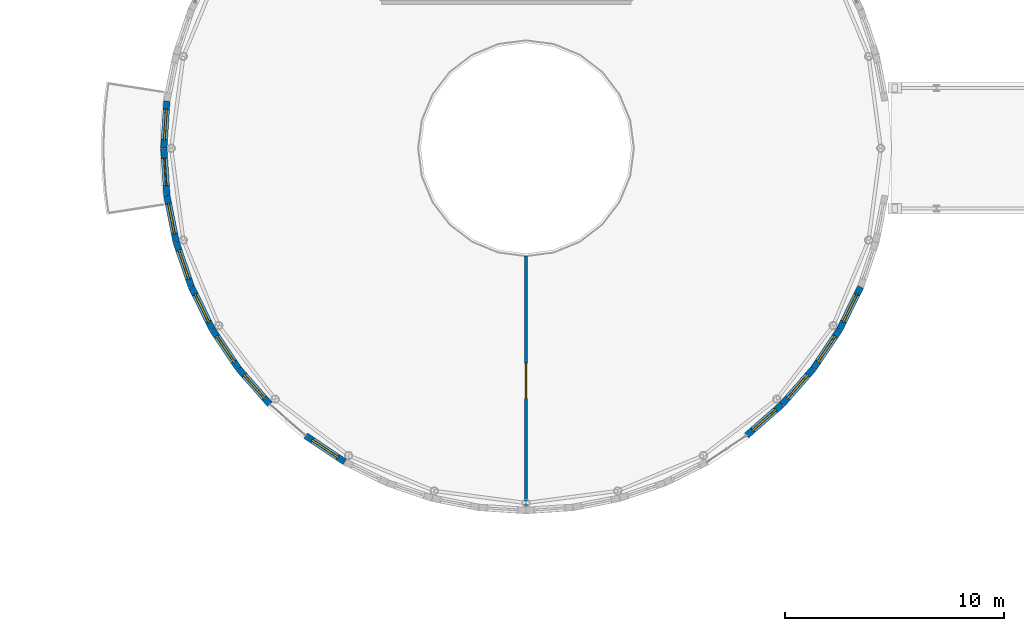
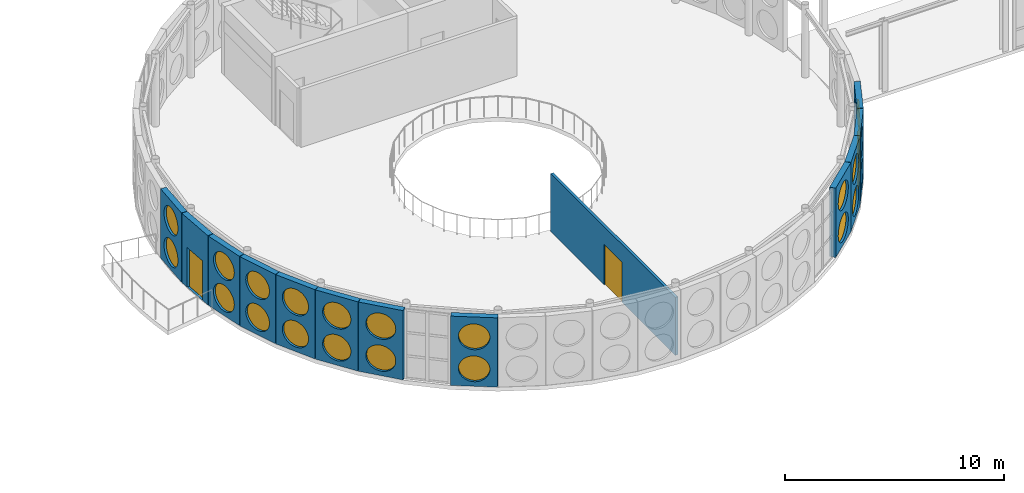
# One storey, part 134 of 165: 22 windows, 13 walls, 2 doors, 24 openings.
"""IFC4 building model written with IfcOpenShell, lengths in metres."""

from ifc_helpers import new_model, si_unit, direction, frame, frame_2d, origin, place, context, subcontext, project, spatial, rectangle, circle, extrude, material, layer, layer_set, type_object, element, fill, save


model = new_model("IFC4")

# Units and contexts
model_context = context("Model", 3, precision=1e-05, world=origin(), true_north=direction((0.0, 1.0)))
body_context = subcontext(model_context, "Body", "Model", "MODEL_VIEW")
ifc_project = project(units=[si_unit("LENGTHUNIT", "METRE"), si_unit("AREAUNIT", "SQUARE_METRE"), si_unit("VOLUMEUNIT", "CUBIC_METRE"), si_unit("PLANEANGLEUNIT", "RADIAN"), si_unit("MASSUNIT", "GRAM", prefix="KILO")], contexts=[model_context])

# Site, building, storey
site_placement = place(None, origin())
site = spatial("IfcSite", under=ifc_project, at=site_placement, CompositionType="ELEMENT")
building_placement = place(site_placement, origin())
building = spatial("IfcBuilding", under=site, at=building_placement, Name="Montecoro Central Library", CompositionType="ELEMENT")
storey_placement = place(building_placement, frame((0.0, 0.0, 5.10009765625)))
storey = spatial("IfcBuildingStorey", under=building, at=storey_placement, Name="L01", CompositionType="ELEMENT", Elevation=5.10009765625)

# Wall, openings, windows
ifc_material_1 = material(Name="Travertine Roman Stone and concrete C35/45", Category="masonry")
ifc_layer_1 = layer(ifc_material_1, 0.294921875)
ifc_layer_set_1 = layer_set([ifc_layer_1], Name="Travertine Roman Stone and concrete C35/45")
wall_type_1 = type_object("IfcWallType", Name="EW-DRM-295", PredefinedType="SOLIDWALL", material=ifc_layer_set_1)
wall_1_placement = place(storey_placement, frame((75.219970703125, 37.548095703125, 0.0), z_axis=(0.0, 0.0, 1.0), x_axis=(-0.064773567518, -0.997899987449, 0.0)))
wall_1 = element("IfcWall", 1, at=wall_1_placement, inside=storey, type_object=wall_type_1, Name="V1-L01-EW-24", PredefinedType="SOLIDWALL", context=body_context, shape_type="SweptSolid", body=[
    extrude(rectangle(XDim=2.14453125, YDim=0.294921875, at=frame_2d((1.072265625, 0.0))), origin(), (0.0, 0.0, 1.0), 3.85498046875),
])
opening_1_placement = place(wall_1_placement, frame((0.35205078125, 0.0, 0.25)))
opening_1 = element("IfcOpeningElement", 2, at=opening_1_placement, cuts=wall_1, Name="Opening WP-02", PredefinedType="OPENING", context=body_context, shape_type="SweptSolid", body=[
    extrude(circle(Radius=0.719970703125, at=frame_2d((0.719970703125, 0.719970703125))), frame((0.0, 0.157470703125, 0.0), z_axis=(0.0, -1.0, 0.0), x_axis=(1.0, 0.0, 0.0)), (0.0, 0.0, 1.0), 0.31494140625),
])
opening_2_placement = place(wall_1_placement, frame((0.35205078125, 0.0, 2.030029296875)))
opening_2 = element("IfcOpeningElement", 3, at=opening_2_placement, cuts=wall_1, Name="Opening WP-01", PredefinedType="OPENING", context=body_context, shape_type="SweptSolid", body=[
    extrude(circle(Radius=0.719970703125, at=frame_2d((0.719970703125, 0.719970703125))), frame((0.0, 0.157470703125, 0.0), z_axis=(0.0, -1.0, 0.0), x_axis=(1.0, 0.0, 0.0)), (0.0, 0.0, 1.0), 0.31494140625),
])
ifc_material_2 = material(Name="Clear sky-blue low-E laminated glazing", Category="glass")
window_type_1 = type_object("IfcWindowType", Name="WN-POR-CLR-144", PartitioningType="SINGLE_PANEL", PredefinedType="WINDOW", material=ifc_material_2)
window_1_placement = place(opening_2_placement, origin())
window_1 = element("IfcWindow", 4, at=window_1_placement, inside=storey, type_object=window_type_1, Name="V1-L01-WP-24-2", OverallHeight=1.43994140625, OverallWidth=1.43994140625, PartitioningType="SINGLE_PANEL", PredefinedType="WINDOW", context=body_context, shape_type="SweptSolid", body=[
    extrude(circle(Radius=0.719970703125, at=frame_2d((0.719970703125, 0.719970703125))), frame((0.0, 0.030029296875, 0.0), z_axis=(0.0, -1.0, 0.0), x_axis=(1.0, 0.0, 0.0)), (0.0, 0.0, 1.0), 0.06005859375),
])
fill(opening_2, window_1)
ifc_material_3 = material(Name="Frosted pearl-white ceramic-fritted glazing", Category="glass")
window_type_2 = type_object("IfcWindowType", Name="WN-POR-FRT-144", PartitioningType="SINGLE_PANEL", PredefinedType="WINDOW", material=ifc_material_3)
window_2_placement = place(opening_1_placement, origin())
window_2 = element("IfcWindow", 5, at=window_2_placement, inside=storey, type_object=window_type_2, Name="V1-L01-WP-24-1", OverallHeight=1.43994140625, OverallWidth=1.43994140625, PartitioningType="SINGLE_PANEL", PredefinedType="WINDOW", context=body_context, shape_type="SweptSolid", body=[
    extrude(circle(Radius=0.719970703125, at=frame_2d((0.719970703125, 0.719970703125))), frame((0.0, 0.030029296875, 0.0), z_axis=(0.0, -1.0, 0.0), x_axis=(1.0, 0.0, 0.0)), (0.0, 0.0, 1.0), 0.06005859375),
])
fill(opening_1, window_2)

# Wall, opening, door
wall_2_placement = place(storey_placement, frame((75.0810546875, 35.39208984375, 0.0), z_axis=(0.0, 0.0, 1.0), x_axis=(0.064773567518, -0.997899987449, 0.0)))
wall_2 = element("IfcWall", 6, at=wall_2_placement, inside=storey, type_object=wall_type_1, Name="V1-L01-EW-25", PredefinedType="SOLIDWALL", context=body_context, shape_type="SweptSolid", body=[
    extrude(rectangle(XDim=2.14453125, YDim=0.294921875, at=frame_2d((1.072265625, 0.0))), origin(), (0.0, 0.0, 1.0), 3.85498046875),
])
opening_3_placement = place(wall_2_placement, frame((0.447021484375, 0.0, 0.0)))
opening_3 = element("IfcOpeningElement", 7, at=opening_3_placement, cuts=wall_2, Name="Opening ED-09", PredefinedType="OPENING", context=body_context, shape_type="SweptSolid", body=[
    extrude(rectangle(XDim=1.25, YDim=2.199951171875, at=frame_2d((0.625, 1.10009765625))), frame((0.0, 0.157470703125, 0.0), z_axis=(0.0, -1.0, 0.0), x_axis=(1.0, 0.0, 0.0)), (0.0, 0.0, 1.0), 0.31494140625),
])
ifc_material_4 = material(Name="Thermally broken architectural bronze and safety glass", Category="glass")
door_type_1 = type_object("IfcDoorType", Name="ED-TER-125", OperationType="NOTDEFINED", PredefinedType="DOOR", material=ifc_material_4)
door_1_placement = place(opening_3_placement, origin())
door_1 = element("IfcDoor", 8, at=door_1_placement, inside=storey, type_object=door_type_1, Name="V1-L01-TERD-25", OperationType="SINGLE_SWING_RIGHT", OverallHeight=2.199951171875, OverallWidth=1.25, PredefinedType="DOOR", context=body_context, shape_type="SweptSolid", body=[
    extrude(rectangle(XDim=1.25, YDim=2.199951171875, at=frame_2d((0.625, 1.10009765625))), frame((0.0, 0.02490234375, 0.0), z_axis=(0.0, -1.0, 0.0), x_axis=(1.0, 0.0, 0.0)), (0.0, 0.0, 1.0), 0.050048828125),
])
fill(opening_3, door_1)

# Wall, openings, windows
wall_3_placement = place(storey_placement, frame((75.222900390625, 33.236083984375, 0.0), z_axis=(0.0, 0.0, 1.0), x_axis=(0.194956014446, -0.98081198628, 0.0)))
wall_3 = element("IfcWall", 9, at=wall_3_placement, inside=storey, type_object=wall_type_1, Name="V1-L01-EW-26", PredefinedType="SOLIDWALL", context=body_context, shape_type="SweptSolid", body=[
    extrude(rectangle(XDim=2.145263671875, YDim=0.294921875, at=frame_2d((1.07275390625, 0.0))), origin(), (0.0, 0.0, 1.0), 3.85498046875),
])
opening_4_placement = place(wall_3_placement, frame((0.35302734375, 0.0, 0.25)))
opening_4 = element("IfcOpeningElement", 10, at=opening_4_placement, cuts=wall_3, Name="Opening WP-02", PredefinedType="OPENING", context=body_context, shape_type="SweptSolid", body=[
    extrude(circle(Radius=0.719970703125, at=frame_2d((0.719970703125, 0.719970703125))), frame((0.0, 0.157470703125, 0.0), z_axis=(0.0, -1.0, 0.0), x_axis=(1.0, 0.0, 0.0)), (0.0, 0.0, 1.0), 0.31494140625),
])
opening_5_placement = place(wall_3_placement, frame((0.35302734375, 0.0, 2.030029296875)))
opening_5 = element("IfcOpeningElement", 11, at=opening_5_placement, cuts=wall_3, Name="Opening WP-01", PredefinedType="OPENING", context=body_context, shape_type="SweptSolid", body=[
    extrude(circle(Radius=0.719970703125, at=frame_2d((0.719970703125, 0.719970703125))), frame((0.0, 0.157470703125, 0.0), z_axis=(0.0, -1.0, 0.0), x_axis=(1.0, 0.0, 0.0)), (0.0, 0.0, 1.0), 0.31494140625),
])
window_3_placement = place(opening_5_placement, origin())
window_3 = element("IfcWindow", 12, at=window_3_placement, inside=storey, type_object=window_type_1, Name="V1-L01-WP-26-2", OverallHeight=1.43994140625, OverallWidth=1.43994140625, PartitioningType="SINGLE_PANEL", PredefinedType="WINDOW", context=body_context, shape_type="SweptSolid", body=[
    extrude(circle(Radius=0.719970703125, at=frame_2d((0.719970703125, 0.719970703125))), frame((0.0, 0.030029296875, 0.0), z_axis=(0.0, -1.0, 0.0), x_axis=(1.0, 0.0, 0.0)), (0.0, 0.0, 1.0), 0.06005859375),
])
fill(opening_5, window_3)
window_4_placement = place(opening_4_placement, origin())
window_4 = element("IfcWindow", 13, at=window_4_placement, inside=storey, type_object=window_type_2, Name="V1-L01-WP-26-1", OverallHeight=1.43994140625, OverallWidth=1.43994140625, PartitioningType="SINGLE_PANEL", PredefinedType="WINDOW", context=body_context, shape_type="SweptSolid", body=[
    extrude(circle(Radius=0.719970703125, at=frame_2d((0.719970703125, 0.719970703125))), frame((0.0, 0.030029296875, 0.0), z_axis=(0.0, -1.0, 0.0), x_axis=(1.0, 0.0, 0.0)), (0.0, 0.0, 1.0), 0.06005859375),
])
fill(opening_4, window_4)

wall_4_placement = place(storey_placement, frame((75.64599609375, 31.115966796875, 0.0), z_axis=(0.0, 0.0, 1.0), x_axis=(0.321382058047, -0.946949614692, 0.0)))
wall_4 = element("IfcWall", 14, at=wall_4_placement, inside=storey, type_object=wall_type_1, Name="V1-L01-EW-27", PredefinedType="SOLIDWALL", context=body_context, shape_type="SweptSolid", body=[
    extrude(rectangle(XDim=2.143798828125, YDim=0.294921875, at=frame_2d((1.07177734375, 0.0))), origin(), (0.0, 0.0, 1.0), 3.85498046875),
])
opening_6_placement = place(wall_4_placement, frame((0.35205078125, 0.0, 0.25)))
opening_6 = element("IfcOpeningElement", 15, at=opening_6_placement, cuts=wall_4, Name="Opening WP-01", PredefinedType="OPENING", context=body_context, shape_type="SweptSolid", body=[
    extrude(circle(Radius=0.719970703125, at=frame_2d((0.719970703125, 0.719970703125))), frame((0.0, 0.157470703125, 0.0), z_axis=(0.0, -1.0, 0.0), x_axis=(1.0, 0.0, 0.0)), (0.0, 0.0, 1.0), 0.31494140625),
])
opening_7_placement = place(wall_4_placement, frame((0.35205078125, 0.0, 2.030029296875)))
opening_7 = element("IfcOpeningElement", 16, at=opening_7_placement, cuts=wall_4, Name="Opening WP-02", PredefinedType="OPENING", context=body_context, shape_type="SweptSolid", body=[
    extrude(circle(Radius=0.719970703125, at=frame_2d((0.719970703125, 0.719970703125))), frame((0.0, 0.157470703125, 0.0), z_axis=(0.0, -1.0, 0.0), x_axis=(1.0, 0.0, 0.0)), (0.0, 0.0, 1.0), 0.31494140625),
])
window_5_placement = place(opening_6_placement, origin())
window_5 = element("IfcWindow", 17, at=window_5_placement, inside=storey, type_object=window_type_1, Name="V1-L01-WP-27-1", OverallHeight=1.43994140625, OverallWidth=1.43994140625, PartitioningType="SINGLE_PANEL", PredefinedType="WINDOW", context=body_context, shape_type="SweptSolid", body=[
    extrude(circle(Radius=0.719970703125, at=frame_2d((0.719970703125, 0.719970703125))), frame((0.0, 0.030029296875, 0.0), z_axis=(0.0, -1.0, 0.0), x_axis=(1.0, 0.0, 0.0)), (0.0, 0.0, 1.0), 0.06005859375),
])
fill(opening_6, window_5)
window_6_placement = place(opening_7_placement, origin())
window_6 = element("IfcWindow", 18, at=window_6_placement, inside=storey, type_object=window_type_2, Name="V1-L01-WP-27-2", OverallHeight=1.43994140625, OverallWidth=1.43994140625, PartitioningType="SINGLE_PANEL", PredefinedType="WINDOW", context=body_context, shape_type="SweptSolid", body=[
    extrude(circle(Radius=0.719970703125, at=frame_2d((0.719970703125, 0.719970703125))), frame((0.0, 0.030029296875, 0.0), z_axis=(0.0, -1.0, 0.0), x_axis=(1.0, 0.0, 0.0)), (0.0, 0.0, 1.0), 0.06005859375),
])
fill(opening_7, window_6)

wall_5_placement = place(storey_placement, frame((76.342041015625, 29.071044921875, 0.0), z_axis=(0.0, 0.0, 1.0), x_axis=(0.441603666205, -0.897210232885, 0.0)))
wall_5 = element("IfcWall", 19, at=wall_5_placement, inside=storey, type_object=wall_type_1, Name="V1-L01-EW-28", PredefinedType="SOLIDWALL", context=body_context, shape_type="SweptSolid", body=[
    extrude(rectangle(XDim=2.14453125, YDim=0.294921875, at=frame_2d((1.072265625, 0.0))), origin(), (0.0, 0.0, 1.0), 3.85498046875),
])
opening_8_placement = place(wall_5_placement, frame((0.35205078125, 0.0, 0.25)))
opening_8 = element("IfcOpeningElement", 20, at=opening_8_placement, cuts=wall_5, Name="Opening WP-02", PredefinedType="OPENING", context=body_context, shape_type="SweptSolid", body=[
    extrude(circle(Radius=0.719970703125, at=frame_2d((0.719970703125, 0.719970703125))), frame((0.0, 0.157470703125, 0.0), z_axis=(0.0, -1.0, 0.0), x_axis=(1.0, 0.0, 0.0)), (0.0, 0.0, 1.0), 0.31494140625),
])
opening_9_placement = place(wall_5_placement, frame((0.35205078125, 0.0, 2.030029296875)))
opening_9 = element("IfcOpeningElement", 21, at=opening_9_placement, cuts=wall_5, Name="Opening WP-01", PredefinedType="OPENING", context=body_context, shape_type="SweptSolid", body=[
    extrude(circle(Radius=0.719970703125, at=frame_2d((0.719970703125, 0.719970703125))), frame((0.0, 0.157470703125, 0.0), z_axis=(0.0, -1.0, 0.0), x_axis=(1.0, 0.0, 0.0)), (0.0, 0.0, 1.0), 0.31494140625),
])
window_7_placement = place(opening_9_placement, origin())
window_7 = element("IfcWindow", 22, at=window_7_placement, inside=storey, type_object=window_type_1, Name="V1-L01-WP-28-2", OverallHeight=1.43994140625, OverallWidth=1.43994140625, PartitioningType="SINGLE_PANEL", PredefinedType="WINDOW", context=body_context, shape_type="SweptSolid", body=[
    extrude(circle(Radius=0.719970703125, at=frame_2d((0.719970703125, 0.719970703125))), frame((0.0, 0.030029296875, 0.0), z_axis=(0.0, -1.0, 0.0), x_axis=(1.0, 0.0, 0.0)), (0.0, 0.0, 1.0), 0.06005859375),
])
fill(opening_9, window_7)
window_8_placement = place(opening_8_placement, origin())
window_8 = element("IfcWindow", 23, at=window_8_placement, inside=storey, type_object=window_type_2, Name="V1-L01-WP-28-1", OverallHeight=1.43994140625, OverallWidth=1.43994140625, PartitioningType="SINGLE_PANEL", PredefinedType="WINDOW", context=body_context, shape_type="SweptSolid", body=[
    extrude(circle(Radius=0.719970703125, at=frame_2d((0.719970703125, 0.719970703125))), frame((0.0, 0.030029296875, 0.0), z_axis=(0.0, -1.0, 0.0), x_axis=(1.0, 0.0, 0.0)), (0.0, 0.0, 1.0), 0.06005859375),
])
fill(opening_8, window_8)

wall_6_placement = place(storey_placement, frame((77.297119140625, 27.133056640625, 0.0), z_axis=(0.0, 0.0, 1.0), x_axis=(0.556065143197, -0.831138710759, 0.0)))
wall_6 = element("IfcWall", 24, at=wall_6_placement, inside=storey, type_object=wall_type_1, Name="V1-L01-EW-29", PredefinedType="SOLIDWALL", context=body_context, shape_type="SweptSolid", body=[
    extrude(rectangle(XDim=2.145263671875, YDim=0.294921875, at=frame_2d((1.07275390625, 0.0))), origin(), (0.0, 0.0, 1.0), 3.85498046875),
])
opening_10_placement = place(wall_6_placement, frame((0.35302734375, 0.0, 0.25)))
opening_10 = element("IfcOpeningElement", 25, at=opening_10_placement, cuts=wall_6, Name="Opening WP-01", PredefinedType="OPENING", context=body_context, shape_type="SweptSolid", body=[
    extrude(circle(Radius=0.719970703125, at=frame_2d((0.719970703125, 0.719970703125))), frame((0.0, 0.157470703125, 0.0), z_axis=(0.0, -1.0, 0.0), x_axis=(1.0, 0.0, 0.0)), (0.0, 0.0, 1.0), 0.31494140625),
])
opening_11_placement = place(wall_6_placement, frame((0.35302734375, 0.0, 2.030029296875)))
opening_11 = element("IfcOpeningElement", 26, at=opening_11_placement, cuts=wall_6, Name="Opening WP-02", PredefinedType="OPENING", context=body_context, shape_type="SweptSolid", body=[
    extrude(circle(Radius=0.719970703125, at=frame_2d((0.719970703125, 0.719970703125))), frame((0.0, 0.157470703125, 0.0), z_axis=(0.0, -1.0, 0.0), x_axis=(1.0, 0.0, 0.0)), (0.0, 0.0, 1.0), 0.31494140625),
])
window_9_placement = place(opening_10_placement, origin())
window_9 = element("IfcWindow", 27, at=window_9_placement, inside=storey, type_object=window_type_1, Name="V1-L01-WP-29-1", OverallHeight=1.43994140625, OverallWidth=1.43994140625, PartitioningType="SINGLE_PANEL", PredefinedType="WINDOW", context=body_context, shape_type="SweptSolid", body=[
    extrude(circle(Radius=0.719970703125, at=frame_2d((0.719970703125, 0.719970703125))), frame((0.0, 0.030029296875, 0.0), z_axis=(0.0, -1.0, 0.0), x_axis=(1.0, 0.0, 0.0)), (0.0, 0.0, 1.0), 0.06005859375),
])
fill(opening_10, window_9)
window_10_placement = place(opening_11_placement, origin())
window_10 = element("IfcWindow", 28, at=window_10_placement, inside=storey, type_object=window_type_2, Name="V1-L01-WP-29-2", OverallHeight=1.43994140625, OverallWidth=1.43994140625, PartitioningType="SINGLE_PANEL", PredefinedType="WINDOW", context=body_context, shape_type="SweptSolid", body=[
    extrude(circle(Radius=0.719970703125, at=frame_2d((0.719970703125, 0.719970703125))), frame((0.0, 0.030029296875, 0.0), z_axis=(0.0, -1.0, 0.0), x_axis=(1.0, 0.0, 0.0)), (0.0, 0.0, 1.0), 0.06005859375),
])
fill(opening_11, window_10)

wall_7_placement = place(storey_placement, frame((78.4990234375, 25.3369140625, 0.0), z_axis=(0.0, 0.0, 1.0), x_axis=(0.659744735503, -0.751489776362, 0.0)))
wall_7 = element("IfcWall", 29, at=wall_7_placement, inside=storey, type_object=wall_type_1, Name="V1-L01-EW-30", PredefinedType="SOLIDWALL", context=body_context, shape_type="SweptSolid", body=[
    extrude(rectangle(XDim=2.144775390625, YDim=0.294921875, at=frame_2d((1.072265625, 0.0))), origin(), (0.0, 0.0, 1.0), 3.85498046875),
])
opening_12_placement = place(wall_7_placement, frame((0.35205078125, 0.0, 0.25)))
opening_12 = element("IfcOpeningElement", 30, at=opening_12_placement, cuts=wall_7, Name="Opening WP-02", PredefinedType="OPENING", context=body_context, shape_type="SweptSolid", body=[
    extrude(circle(Radius=0.719970703125, at=frame_2d((0.719970703125, 0.719970703125))), frame((0.0, 0.157470703125, 0.0), z_axis=(0.0, -1.0, 0.0), x_axis=(1.0, 0.0, 0.0)), (0.0, 0.0, 1.0), 0.31494140625),
])
opening_13_placement = place(wall_7_placement, frame((0.35205078125, 0.0, 2.030029296875)))
opening_13 = element("IfcOpeningElement", 31, at=opening_13_placement, cuts=wall_7, Name="Opening WP-01", PredefinedType="OPENING", context=body_context, shape_type="SweptSolid", body=[
    extrude(circle(Radius=0.719970703125, at=frame_2d((0.719970703125, 0.719970703125))), frame((0.0, 0.157470703125, 0.0), z_axis=(0.0, -1.0, 0.0), x_axis=(1.0, 0.0, 0.0)), (0.0, 0.0, 1.0), 0.31494140625),
])
window_11_placement = place(opening_13_placement, origin())
window_11 = element("IfcWindow", 32, at=window_11_placement, inside=storey, type_object=window_type_1, Name="V1-L01-WP-30-2", OverallHeight=1.43994140625, OverallWidth=1.43994140625, PartitioningType="SINGLE_PANEL", PredefinedType="WINDOW", context=body_context, shape_type="SweptSolid", body=[
    extrude(circle(Radius=0.719970703125, at=frame_2d((0.719970703125, 0.719970703125))), frame((0.0, 0.030029296875, 0.0), z_axis=(0.0, -1.0, 0.0), x_axis=(1.0, 0.0, 0.0)), (0.0, 0.0, 1.0), 0.06005859375),
])
fill(opening_13, window_11)
window_12_placement = place(opening_12_placement, origin())
window_12 = element("IfcWindow", 33, at=window_12_placement, inside=storey, type_object=window_type_2, Name="V1-L01-WP-30-1", OverallHeight=1.43994140625, OverallWidth=1.43994140625, PartitioningType="SINGLE_PANEL", PredefinedType="WINDOW", context=body_context, shape_type="SweptSolid", body=[
    extrude(circle(Radius=0.719970703125, at=frame_2d((0.719970703125, 0.719970703125))), frame((0.0, 0.030029296875, 0.0), z_axis=(0.0, -1.0, 0.0), x_axis=(1.0, 0.0, 0.0)), (0.0, 0.0, 1.0), 0.06005859375),
])
fill(opening_12, window_12)

wall_8_placement = place(storey_placement, frame((81.550048828125, 22.2900390625, 0.0), z_axis=(0.0, 0.0, 1.0), x_axis=(0.831086112108, -0.556143753234, 0.0)))
wall_8 = element("IfcWall", 34, at=wall_8_placement, inside=storey, type_object=wall_type_1, Name="V1-L01-EW-32", PredefinedType="SOLIDWALL", context=body_context, shape_type="SweptSolid", body=[
    extrude(rectangle(XDim=2.145263671875, YDim=0.294921875, at=frame_2d((1.07275390625, 0.0))), origin(), (0.0, 0.0, 1.0), 3.85498046875),
])
opening_14_placement = place(wall_8_placement, frame((0.35302734375, 0.0, 0.25)))
opening_14 = element("IfcOpeningElement", 35, at=opening_14_placement, cuts=wall_8, Name="Opening WP-02", PredefinedType="OPENING", context=body_context, shape_type="SweptSolid", body=[
    extrude(circle(Radius=0.719970703125, at=frame_2d((0.719970703125, 0.719970703125))), frame((0.0, 0.157470703125, 0.0), z_axis=(0.0, -1.0, 0.0), x_axis=(1.0, 0.0, 0.0)), (0.0, 0.0, 1.0), 0.31494140625),
])
opening_15_placement = place(wall_8_placement, frame((0.35302734375, 0.0, 2.030029296875)))
opening_15 = element("IfcOpeningElement", 36, at=opening_15_placement, cuts=wall_8, Name="Opening WP-01", PredefinedType="OPENING", context=body_context, shape_type="SweptSolid", body=[
    extrude(circle(Radius=0.719970703125, at=frame_2d((0.719970703125, 0.719970703125))), frame((0.0, 0.157470703125, 0.0), z_axis=(0.0, -1.0, 0.0), x_axis=(1.0, 0.0, 0.0)), (0.0, 0.0, 1.0), 0.31494140625),
])
window_13_placement = place(opening_15_placement, origin())
window_13 = element("IfcWindow", 37, at=window_13_placement, inside=storey, type_object=window_type_1, Name="V1-L01-WP-32-2", OverallHeight=1.43994140625, OverallWidth=1.43994140625, PartitioningType="SINGLE_PANEL", PredefinedType="WINDOW", context=body_context, shape_type="SweptSolid", body=[
    extrude(circle(Radius=0.719970703125, at=frame_2d((0.719970703125, 0.719970703125))), frame((0.0, 0.030029296875, 0.0), z_axis=(0.0, -1.0, 0.0), x_axis=(1.0, 0.0, 0.0)), (0.0, 0.0, 1.0), 0.06005859375),
])
fill(opening_15, window_13)
window_14_placement = place(opening_14_placement, origin())
window_14 = element("IfcWindow", 38, at=window_14_placement, inside=storey, type_object=window_type_2, Name="V1-L01-WP-32-1", OverallHeight=1.43994140625, OverallWidth=1.43994140625, PartitioningType="SINGLE_PANEL", PredefinedType="WINDOW", context=body_context, shape_type="SweptSolid", body=[
    extrude(circle(Radius=0.719970703125, at=frame_2d((0.719970703125, 0.719970703125))), frame((0.0, 0.030029296875, 0.0), z_axis=(0.0, -1.0, 0.0), x_axis=(1.0, 0.0, 0.0)), (0.0, 0.0, 1.0), 0.06005859375),
])
fill(opening_14, window_14)

wall_9_placement = place(storey_placement, frame((101.6630859375, 22.299072265625, 0.0), z_axis=(0.0, 0.0, 1.0), x_axis=(0.751489776362, 0.659744735503, 0.0)))
wall_9 = element("IfcWall", 39, at=wall_9_placement, inside=storey, type_object=wall_type_1, Name="V1-L01-EW-42", PredefinedType="SOLIDWALL", context=body_context, shape_type="SweptSolid", body=[
    extrude(rectangle(XDim=2.144775390625, YDim=0.294921875, at=frame_2d((1.072265625, 0.0))), origin(), (0.0, 0.0, 1.0), 3.85498046875),
])
opening_16_placement = place(wall_9_placement, frame((0.35205078125, 0.0, 0.25)))
opening_16 = element("IfcOpeningElement", 40, at=opening_16_placement, cuts=wall_9, Name="Opening WP-02", PredefinedType="OPENING", context=body_context, shape_type="SweptSolid", body=[
    extrude(circle(Radius=0.719970703125, at=frame_2d((0.719970703125, 0.719970703125))), frame((0.0, 0.157470703125, 0.0), z_axis=(0.0, -1.0, 0.0), x_axis=(1.0, 0.0, 0.0)), (0.0, 0.0, 1.0), 0.31494140625),
])
opening_17_placement = place(wall_9_placement, frame((0.35205078125, 0.0, 2.030029296875)))
opening_17 = element("IfcOpeningElement", 41, at=opening_17_placement, cuts=wall_9, Name="Opening WP-01", PredefinedType="OPENING", context=body_context, shape_type="SweptSolid", body=[
    extrude(circle(Radius=0.719970703125, at=frame_2d((0.719970703125, 0.719970703125))), frame((0.0, 0.157470703125, 0.0), z_axis=(0.0, -1.0, 0.0), x_axis=(1.0, 0.0, 0.0)), (0.0, 0.0, 1.0), 0.31494140625),
])
window_15_placement = place(opening_17_placement, origin())
window_15 = element("IfcWindow", 42, at=window_15_placement, inside=storey, type_object=window_type_1, Name="V1-L01-WP-42-2", OverallHeight=1.43994140625, OverallWidth=1.43994140625, PartitioningType="SINGLE_PANEL", PredefinedType="WINDOW", context=body_context, shape_type="SweptSolid", body=[
    extrude(circle(Radius=0.719970703125, at=frame_2d((0.719970703125, 0.719970703125))), frame((0.0, 0.030029296875, 0.0), z_axis=(0.0, -1.0, 0.0), x_axis=(1.0, 0.0, 0.0)), (0.0, 0.0, 1.0), 0.06005859375),
])
fill(opening_17, window_15)
window_16_placement = place(opening_16_placement, origin())
window_16 = element("IfcWindow", 43, at=window_16_placement, inside=storey, type_object=window_type_2, Name="V1-L01-WP-42-1", OverallHeight=1.43994140625, OverallWidth=1.43994140625, PartitioningType="SINGLE_PANEL", PredefinedType="WINDOW", context=body_context, shape_type="SweptSolid", body=[
    extrude(circle(Radius=0.719970703125, at=frame_2d((0.719970703125, 0.719970703125))), frame((0.0, 0.030029296875, 0.0), z_axis=(0.0, -1.0, 0.0), x_axis=(1.0, 0.0, 0.0)), (0.0, 0.0, 1.0), 0.06005859375),
])
fill(opening_16, window_16)

wall_10_placement = place(storey_placement, frame((103.285888671875, 23.72509765625, 0.0), z_axis=(0.0, 0.0, 1.0), x_axis=(0.659744735503, 0.751489776362, 0.0)))
wall_10 = element("IfcWall", 44, at=wall_10_placement, inside=storey, type_object=wall_type_1, Name="V1-L01-EW-43", PredefinedType="SOLIDWALL", context=body_context, shape_type="SweptSolid", body=[
    extrude(rectangle(XDim=2.144775390625, YDim=0.294921875, at=frame_2d((1.072265625, 0.0))), origin(), (0.0, 0.0, 1.0), 3.85498046875),
])
opening_18_placement = place(wall_10_placement, frame((0.35205078125, 0.0, 0.25)))
opening_18 = element("IfcOpeningElement", 45, at=opening_18_placement, cuts=wall_10, Name="Opening WP-01", PredefinedType="OPENING", context=body_context, shape_type="SweptSolid", body=[
    extrude(circle(Radius=0.719970703125, at=frame_2d((0.719970703125, 0.719970703125))), frame((0.0, 0.157470703125, 0.0), z_axis=(0.0, -1.0, 0.0), x_axis=(1.0, 0.0, 0.0)), (0.0, 0.0, 1.0), 0.31494140625),
])
opening_19_placement = place(wall_10_placement, frame((0.35205078125, 0.0, 2.030029296875)))
opening_19 = element("IfcOpeningElement", 46, at=opening_19_placement, cuts=wall_10, Name="Opening WP-02", PredefinedType="OPENING", context=body_context, shape_type="SweptSolid", body=[
    extrude(circle(Radius=0.719970703125, at=frame_2d((0.719970703125, 0.719970703125))), frame((0.0, 0.157470703125, 0.0), z_axis=(0.0, -1.0, 0.0), x_axis=(1.0, 0.0, 0.0)), (0.0, 0.0, 1.0), 0.31494140625),
])
window_17_placement = place(opening_18_placement, origin())
window_17 = element("IfcWindow", 47, at=window_17_placement, inside=storey, type_object=window_type_1, Name="V1-L01-WP-43-1", OverallHeight=1.43994140625, OverallWidth=1.43994140625, PartitioningType="SINGLE_PANEL", PredefinedType="WINDOW", context=body_context, shape_type="SweptSolid", body=[
    extrude(circle(Radius=0.719970703125, at=frame_2d((0.719970703125, 0.719970703125))), frame((0.0, 0.030029296875, 0.0), z_axis=(0.0, -1.0, 0.0), x_axis=(1.0, 0.0, 0.0)), (0.0, 0.0, 1.0), 0.06005859375),
])
fill(opening_18, window_17)
window_18_placement = place(opening_19_placement, origin())
window_18 = element("IfcWindow", 48, at=window_18_placement, inside=storey, type_object=window_type_2, Name="V1-L01-WP-43-2", OverallHeight=1.43994140625, OverallWidth=1.43994140625, PartitioningType="SINGLE_PANEL", PredefinedType="WINDOW", context=body_context, shape_type="SweptSolid", body=[
    extrude(circle(Radius=0.719970703125, at=frame_2d((0.719970703125, 0.719970703125))), frame((0.0, 0.030029296875, 0.0), z_axis=(0.0, -1.0, 0.0), x_axis=(1.0, 0.0, 0.0)), (0.0, 0.0, 1.0), 0.06005859375),
])
fill(opening_19, window_18)

wall_11_placement = place(storey_placement, frame((104.7099609375, 25.35009765625, 0.0), z_axis=(0.0, 0.0, 1.0), x_axis=(0.556143753234, 0.831086112108, 0.0)))
wall_11 = element("IfcWall", 49, at=wall_11_placement, inside=storey, type_object=wall_type_1, Name="V1-L01-EW-44", PredefinedType="SOLIDWALL", context=body_context, shape_type="SweptSolid", body=[
    extrude(rectangle(XDim=2.145263671875, YDim=0.294921875, at=frame_2d((1.07275390625, 0.0))), origin(), (0.0, 0.0, 1.0), 3.85498046875),
])
opening_20_placement = place(wall_11_placement, frame((0.35302734375, 0.0, 0.25)))
opening_20 = element("IfcOpeningElement", 50, at=opening_20_placement, cuts=wall_11, Name="Opening WP-02", PredefinedType="OPENING", context=body_context, shape_type="SweptSolid", body=[
    extrude(circle(Radius=0.719970703125, at=frame_2d((0.719970703125, 0.719970703125))), frame((0.0, 0.157470703125, 0.0), z_axis=(0.0, -1.0, 0.0), x_axis=(1.0, 0.0, 0.0)), (0.0, 0.0, 1.0), 0.31494140625),
])
opening_21_placement = place(wall_11_placement, frame((0.35302734375, 0.0, 2.030029296875)))
opening_21 = element("IfcOpeningElement", 51, at=opening_21_placement, cuts=wall_11, Name="Opening WP-01", PredefinedType="OPENING", context=body_context, shape_type="SweptSolid", body=[
    extrude(circle(Radius=0.719970703125, at=frame_2d((0.719970703125, 0.719970703125))), frame((0.0, 0.157470703125, 0.0), z_axis=(0.0, -1.0, 0.0), x_axis=(1.0, 0.0, 0.0)), (0.0, 0.0, 1.0), 0.31494140625),
])
window_19_placement = place(opening_21_placement, origin())
window_19 = element("IfcWindow", 52, at=window_19_placement, inside=storey, type_object=window_type_1, Name="V1-L01-WP-44-2", OverallHeight=1.43994140625, OverallWidth=1.43994140625, PartitioningType="SINGLE_PANEL", PredefinedType="WINDOW", context=body_context, shape_type="SweptSolid", body=[
    extrude(circle(Radius=0.719970703125, at=frame_2d((0.719970703125, 0.719970703125))), frame((0.0, 0.030029296875, 0.0), z_axis=(0.0, -1.0, 0.0), x_axis=(1.0, 0.0, 0.0)), (0.0, 0.0, 1.0), 0.06005859375),
])
fill(opening_21, window_19)
window_20_placement = place(opening_20_placement, origin())
window_20 = element("IfcWindow", 53, at=window_20_placement, inside=storey, type_object=window_type_2, Name="V1-L01-WP-44-1", OverallHeight=1.43994140625, OverallWidth=1.43994140625, PartitioningType="SINGLE_PANEL", PredefinedType="WINDOW", context=body_context, shape_type="SweptSolid", body=[
    extrude(circle(Radius=0.719970703125, at=frame_2d((0.719970703125, 0.719970703125))), frame((0.0, 0.030029296875, 0.0), z_axis=(0.0, -1.0, 0.0), x_axis=(1.0, 0.0, 0.0)), (0.0, 0.0, 1.0), 0.06005859375),
])
fill(opening_20, window_20)

wall_12_placement = place(storey_placement, frame((105.910888671875, 27.14697265625, 0.0), z_axis=(0.0, 0.0, 1.0), x_axis=(0.441603666205, 0.897210232885, 0.0)))
wall_12 = element("IfcWall", 54, at=wall_12_placement, inside=storey, type_object=wall_type_1, Name="V1-L01-EW-45", PredefinedType="SOLIDWALL", context=body_context, shape_type="SweptSolid", body=[
    extrude(rectangle(XDim=2.14453125, YDim=0.294921875, at=frame_2d((1.072265625, 0.0))), origin(), (0.0, 0.0, 1.0), 3.85498046875),
])
opening_22_placement = place(wall_12_placement, frame((0.35205078125, 0.0, 0.25)))
opening_22 = element("IfcOpeningElement", 55, at=opening_22_placement, cuts=wall_12, Name="Opening WP-01", PredefinedType="OPENING", context=body_context, shape_type="SweptSolid", body=[
    extrude(circle(Radius=0.719970703125, at=frame_2d((0.719970703125, 0.719970703125))), frame((0.0, 0.157470703125, 0.0), z_axis=(0.0, -1.0, 0.0), x_axis=(1.0, 0.0, 0.0)), (0.0, 0.0, 1.0), 0.31494140625),
])
opening_23_placement = place(wall_12_placement, frame((0.35205078125, 0.0, 2.030029296875)))
opening_23 = element("IfcOpeningElement", 56, at=opening_23_placement, cuts=wall_12, Name="Opening WP-02", PredefinedType="OPENING", context=body_context, shape_type="SweptSolid", body=[
    extrude(circle(Radius=0.719970703125, at=frame_2d((0.719970703125, 0.719970703125))), frame((0.0, 0.157470703125, 0.0), z_axis=(0.0, -1.0, 0.0), x_axis=(1.0, 0.0, 0.0)), (0.0, 0.0, 1.0), 0.31494140625),
])
window_21_placement = place(opening_22_placement, origin())
window_21 = element("IfcWindow", 57, at=window_21_placement, inside=storey, type_object=window_type_1, Name="V1-L01-WP-45-1", OverallHeight=1.43994140625, OverallWidth=1.43994140625, PartitioningType="SINGLE_PANEL", PredefinedType="WINDOW", context=body_context, shape_type="SweptSolid", body=[
    extrude(circle(Radius=0.719970703125, at=frame_2d((0.719970703125, 0.719970703125))), frame((0.0, 0.030029296875, 0.0), z_axis=(0.0, -1.0, 0.0), x_axis=(1.0, 0.0, 0.0)), (0.0, 0.0, 1.0), 0.06005859375),
])
fill(opening_22, window_21)
window_22_placement = place(opening_23_placement, origin())
window_22 = element("IfcWindow", 58, at=window_22_placement, inside=storey, type_object=window_type_2, Name="V1-L01-WP-45-2", OverallHeight=1.43994140625, OverallWidth=1.43994140625, PartitioningType="SINGLE_PANEL", PredefinedType="WINDOW", context=body_context, shape_type="SweptSolid", body=[
    extrude(circle(Radius=0.719970703125, at=frame_2d((0.719970703125, 0.719970703125))), frame((0.0, 0.030029296875, 0.0), z_axis=(0.0, -1.0, 0.0), x_axis=(1.0, 0.0, 0.0)), (0.0, 0.0, 1.0), 0.06005859375),
])
fill(opening_23, window_22)

# Wall, opening, door
ifc_material_5 = material(Name="Gypsum metal-stud partition")
ifc_layer_2 = layer(ifc_material_5, 0.139892578125)
ifc_layer_set_2 = layer_set([ifc_layer_2], Name="Gypsum metal-stud partition")
wall_type_2 = type_object("IfcWallType", Name="IW-PRT-140", PredefinedType="PARTITIONING", material=ifc_layer_set_2)
wall_13_placement = place(storey_placement, frame((91.60009765625, 19.10009765625, 0.0), z_axis=(0.0, 0.0, 1.0), x_axis=(0.0, 1.0, 0.0)))
wall_13 = element("IfcWall", 59, at=wall_13_placement, inside=storey, type_object=wall_type_2, Name="V1-L01-SPINE-S", PredefinedType="PARTITIONING", context=body_context, shape_type="SweptSolid", body=[
    extrude(rectangle(XDim=11.3798828125, YDim=0.139892578125, at=frame_2d((5.68994140625, 0.0))), origin(), (0.0, 0.0, 1.0), 3.22998046875),
])
opening_24_placement = place(wall_13_placement, frame((4.889892578125, 0.0, 0.0)))
opening_24 = element("IfcOpeningElement", 60, at=opening_24_placement, cuts=wall_13, Name="Opening ID-06", PredefinedType="OPENING", context=body_context, shape_type="SweptSolid", body=[
    extrude(rectangle(XDim=1.60009765625, YDim=2.25, at=frame_2d((0.800048828125, 1.125))), frame((0.0, 0.079833984375, 0.0), z_axis=(0.0, -1.0, 0.0), x_axis=(1.0, 0.0, 0.0)), (0.0, 0.0, 1.0), 0.159912109375),
])
ifc_material_6 = material(Name="Solid oak and fire-rated steel door", Category="steel")
door_type_2 = type_object("IfcDoorType", Name="ID-COR-160", OperationType="NOTDEFINED", PredefinedType="DOOR", material=ifc_material_6)
door_2_placement = place(opening_24_placement, origin())
door_2 = element("IfcDoor", 61, at=door_2_placement, inside=storey, type_object=door_type_2, Name="V1-L01-DR-SPINE", OperationType="DOUBLE_DOOR_SINGLE_SWING", OverallHeight=2.25, OverallWidth=1.60009765625, PredefinedType="DOOR", context=body_context, shape_type="SweptSolid", body=[
    extrude(rectangle(XDim=1.60009765625, YDim=2.25, at=frame_2d((0.800048828125, 1.125))), frame((0.0, 0.02490234375, 0.0), z_axis=(0.0, -1.0, 0.0), x_axis=(1.0, 0.0, 0.0)), (0.0, 0.0, 1.0), 0.050048828125),
])
fill(opening_24, door_2)

save(model, "model.ifc")
